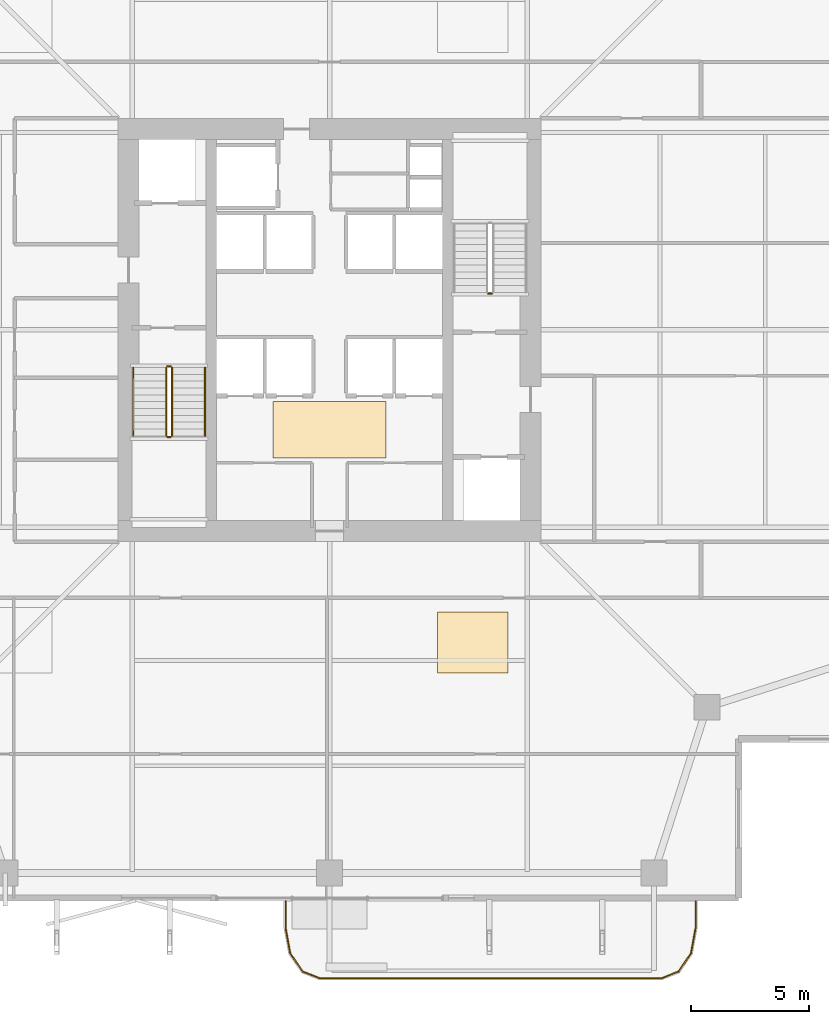
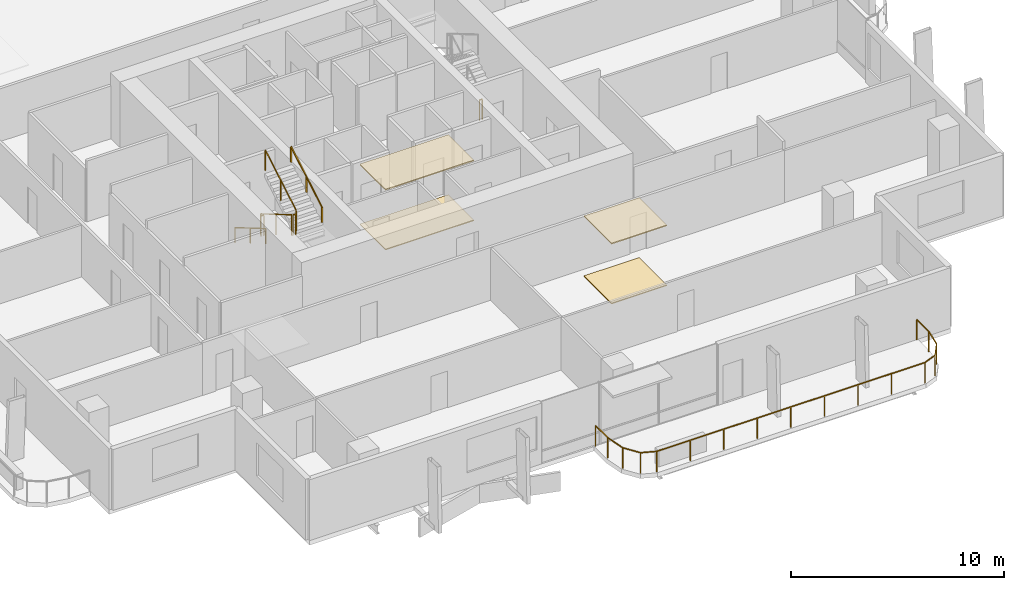
# One storey, part 23 of 25: 8 railings, 4 coverings.
"""IFC4 building model written with IfcOpenShell, lengths in metres."""

from ifc_helpers import new_model, si_unit, direction, frame, origin, origin_2d, place, context, subcontext, project, spatial, polyline, rectangle, outline, extrude, material, layer, layer_set, type_object, element, save


model = new_model("IFC4")

# Units and contexts
model_context = context("Model", 3, precision=1e-05, world=origin(), true_north=direction((0.0, 1.0)))
body_context = subcontext(model_context, "Body", "Model", "MODEL_VIEW")
ifc_project = project(units=[si_unit("LENGTHUNIT", "METRE"), si_unit("AREAUNIT", "SQUARE_METRE"), si_unit("VOLUMEUNIT", "CUBIC_METRE"), si_unit("PLANEANGLEUNIT", "RADIAN"), si_unit("MASSUNIT", "GRAM", prefix="KILO")], contexts=[model_context])

# Site, building, storey
site_placement = place(None, origin())
site = spatial("IfcSite", under=ifc_project, at=site_placement, CompositionType="ELEMENT")
building_placement = place(site_placement, origin())
building = spatial("IfcBuilding", under=site, at=building_placement, Name="Belovzor Exchange Tower", CompositionType="ELEMENT")
storey_placement = place(building_placement, frame((0.0, 0.0, 142.050048828125)))
storey = spatial("IfcBuildingStorey", under=building, at=storey_placement, Name="L34", CompositionType="ELEMENT", Elevation=142.050048828125)

# Railings
ifc_material_1 = material(Name="Stainless Steel Grade 304", Category="steel")
railing_type_1 = type_object("IfcRailingType", Name="Brushed Stainless Steel Stair Handrail 900", PredefinedType="HANDRAIL", material=ifc_material_1)
railing_1_placement = place(storey_placement, frame((20.449951171875, 27.199951171875, 0.17041015625)))
element("IfcRailing", 1, at=railing_1_placement, inside=storey, type_object=railing_type_1, Name="L34 ST-1 stair handrail 1", PredefinedType="HANDRAIL", context=body_context, shape_type="SweptSolid", body=[
    extrude(rectangle(XDim=0.048095703125, YDim=0.048095703125, at=origin_2d()), frame((0.0, 0.0, 0.8759765625), z_axis=(0.0, -0.86209462966, 0.506747323142), x_axis=(1.0, 0.0, 0.0)), (0.0, 0.0, 1.0), 3.36376953125),
    extrude(rectangle(XDim=0.0419921875, YDim=0.0419921875, at=origin_2d()), origin(), (0.0, 0.0, 1.0), 0.851806640625),
    extrude(rectangle(XDim=0.0419921875, YDim=0.0419921875, at=origin_2d()), frame((0.0, -1.449951171875, 0.852294921875)), (0.0, 0.0, 1.0), 0.851806640625),
    extrude(rectangle(XDim=0.0419921875, YDim=0.0419921875, at=origin_2d()), frame((0.0, -2.89990234375, 1.70458984375)), (0.0, 0.0, 1.0), 0.851806640625),
])
railing_2_placement = place(storey_placement, frame((23.5, 24.300048828125, 2.04541015625)))
element("IfcRailing", 2, at=railing_2_placement, inside=storey, type_object=railing_type_1, Name="L34 ST-1 stair handrail 2", PredefinedType="HANDRAIL", context=body_context, shape_type="SweptSolid", body=[
    extrude(rectangle(XDim=0.048095703125, YDim=0.048095703125, at=origin_2d()), frame((0.0, 0.0, 0.8759765625), z_axis=(0.0, 0.86209462966, 0.506747323142), x_axis=(-1.0, 0.0, 0.0)), (0.0, 0.0, 1.0), 3.36376953125),
    extrude(rectangle(XDim=0.0419921875, YDim=0.0419921875, at=origin_2d()), origin(), (0.0, 0.0, 1.0), 0.851806640625),
    extrude(rectangle(XDim=0.0419921875, YDim=0.0419921875, at=origin_2d()), frame((0.0, 1.449951171875, 0.852294921875)), (0.0, 0.0, 1.0), 0.851806640625),
    extrude(rectangle(XDim=0.0419921875, YDim=0.0419921875, at=origin_2d()), frame((0.0, 2.89990234375, 1.70458984375)), (0.0, 0.0, 1.0), 0.851806640625),
])
ifc_material_2 = material(Name="Stainless Steel and Laminated Safety Glass", Category="steel")
railing_type_2 = type_object("IfcRailingType", Name="Laminated Glass & Stainless Steel Balcony Balustrade 1200", PredefinedType="BALUSTRADE", material=ifc_material_2)
railing_3_placement = place(storey_placement, frame((26.929931640625, 4.489990234375, 0.0)))
element("IfcRailing", 3, at=railing_3_placement, inside=storey, type_object=railing_type_2, Name="GR-1 Balcony Balustrade L34 South", PredefinedType="BALUSTRADE", context=body_context, shape_type="SweptSolid", body=[
    extrude(rectangle(XDim=0.048095703125, YDim=0.048095703125, at=origin_2d()), frame((0.0, 0.0, 1.17578125), z_axis=(0.0, -1.0, 0.0), x_axis=(1.0, 0.0, 0.0)), (0.0, 0.0, 1.0), 1.133056640625),
    extrude(rectangle(XDim=0.048095703125, YDim=0.048095703125, at=origin_2d()), frame((0.0, -1.133056640625, 1.17578125), z_axis=(0.180122719713, -0.983644145941, 0.0), x_axis=(0.983644145941, 0.180122719713, 0.0)), (0.0, 0.0, 1.0), 1.09375),
    extrude(rectangle(XDim=0.048095703125, YDim=0.048095703125, at=origin_2d()), frame((0.197021484375, -2.208984375, 1.17578125), z_axis=(0.56294695933, -0.826493025367, 0.0), x_axis=(0.826493025367, 0.56294695933, 0.0)), (0.0, 0.0, 1.0), 0.932861328125),
    extrude(rectangle(XDim=0.048095703125, YDim=0.048095703125, at=origin_2d()), frame((0.72216796875, -2.97998046875, 1.17578125), z_axis=(0.930766990125, -0.365612923861, 0.0), x_axis=(0.365612923861, 0.930766990125, 0.0)), (0.0, 0.0, 1.0), 0.765869140625),
    extrude(rectangle(XDim=0.048095703125, YDim=0.048095703125, at=origin_2d()), frame((1.43505859375, -3.260009765625, 1.17578125), z_axis=(1.0, 0.0, 0.0), x_axis=(0.0, 1.0, 0.0)), (0.0, 0.0, 1.0), 14.570068359375),
    extrude(rectangle(XDim=0.048095703125, YDim=0.048095703125, at=origin_2d()), frame((16.005126953125, -3.260009765625, 1.17578125), z_axis=(0.930766990125, 0.365612923861, 0.0), x_axis=(-0.365612923861, 0.930766990125, 0.0)), (0.0, 0.0, 1.0), 0.765869140625),
    extrude(rectangle(XDim=0.048095703125, YDim=0.048095703125, at=origin_2d()), frame((16.718017578125, -2.97998046875, 1.17578125), z_axis=(0.56294695933, 0.826493025367, 0.0), x_axis=(-0.826493025367, 0.56294695933, 0.0)), (0.0, 0.0, 1.0), 0.932861328125),
    extrude(rectangle(XDim=0.048095703125, YDim=0.048095703125, at=origin_2d()), frame((17.2431640625, -2.208984375, 1.17578125), z_axis=(0.180122719713, 0.983644145941, 0.0), x_axis=(-0.983644145941, 0.180122719713, 0.0)), (0.0, 0.0, 1.0), 1.09375),
    extrude(rectangle(XDim=0.048095703125, YDim=0.048095703125, at=origin_2d()), frame((17.440185546875, -1.133056640625, 1.17578125), z_axis=(0.0, 1.0, 0.0), x_axis=(-1.0, 0.0, 0.0)), (0.0, 0.0, 1.0), 1.133056640625),
    extrude(rectangle(XDim=0.0419921875, YDim=0.0419921875, at=origin_2d()), origin(), (0.0, 0.0, 1.0), 1.15185546875),
    extrude(rectangle(XDim=0.0419921875, YDim=0.0419921875, at=origin_2d()), frame((0.0, -1.133056640625, 0.0)), (0.0, 0.0, 1.0), 1.15185546875),
    extrude(rectangle(XDim=0.0419921875, YDim=0.0419921875, at=origin_2d()), frame((0.197021484375, -2.208984375, 0.0)), (0.0, 0.0, 1.0), 1.15185546875),
    extrude(rectangle(XDim=0.0419921875, YDim=0.0419921875, at=origin_2d()), frame((0.72216796875, -2.97998046875, 0.0)), (0.0, 0.0, 1.0), 1.15185546875),
    extrude(rectangle(XDim=0.0419921875, YDim=0.0419921875, at=origin_2d()), frame((1.43505859375, -3.260009765625, 0.0)), (0.0, 0.0, 1.0), 1.15185546875),
    extrude(rectangle(XDim=0.0419921875, YDim=0.0419921875, at=origin_2d()), frame((3.25634765625, -3.260009765625, 0.0)), (0.0, 0.0, 1.0), 1.15185546875),
    extrude(rectangle(XDim=0.0419921875, YDim=0.0419921875, at=origin_2d()), frame((5.07763671875, -3.260009765625, 0.0)), (0.0, 0.0, 1.0), 1.15185546875),
    extrude(rectangle(XDim=0.0419921875, YDim=0.0419921875, at=origin_2d()), frame((6.89892578125, -3.260009765625, 0.0)), (0.0, 0.0, 1.0), 1.15185546875),
    extrude(rectangle(XDim=0.0419921875, YDim=0.0419921875, at=origin_2d()), frame((8.72021484375, -3.260009765625, 0.0)), (0.0, 0.0, 1.0), 1.15185546875),
    extrude(rectangle(XDim=0.0419921875, YDim=0.0419921875, at=origin_2d()), frame((10.541259765625, -3.260009765625, 0.0)), (0.0, 0.0, 1.0), 1.15185546875),
    extrude(rectangle(XDim=0.0419921875, YDim=0.0419921875, at=origin_2d()), frame((12.362548828125, -3.260009765625, 0.0)), (0.0, 0.0, 1.0), 1.15185546875),
    extrude(rectangle(XDim=0.0419921875, YDim=0.0419921875, at=origin_2d()), frame((14.183837890625, -3.260009765625, 0.0)), (0.0, 0.0, 1.0), 1.15185546875),
    extrude(rectangle(XDim=0.0419921875, YDim=0.0419921875, at=origin_2d()), frame((16.005126953125, -3.260009765625, 0.0)), (0.0, 0.0, 1.0), 1.15185546875),
    extrude(rectangle(XDim=0.0419921875, YDim=0.0419921875, at=origin_2d()), frame((16.718017578125, -2.97998046875, 0.0)), (0.0, 0.0, 1.0), 1.15185546875),
    extrude(rectangle(XDim=0.0419921875, YDim=0.0419921875, at=origin_2d()), frame((17.2431640625, -2.208984375, 0.0)), (0.0, 0.0, 1.0), 1.15185546875),
    extrude(rectangle(XDim=0.0419921875, YDim=0.0419921875, at=origin_2d()), frame((17.440185546875, -1.133056640625, 0.0)), (0.0, 0.0, 1.0), 1.15185546875),
    extrude(rectangle(XDim=0.0419921875, YDim=0.0419921875, at=origin_2d()), frame((17.440185546875, 0.0, 0.0)), (0.0, 0.0, 1.0), 1.15185546875),
])
ifc_material_3 = material(Name="Steel S355", Category="steel")
railing_type_3 = type_object("IfcRailingType", Name="Painted Steel Stairwell Guardrail 1200", PredefinedType="GUARDRAIL", material=ifc_material_3)
railing_4_placement = place(storey_placement, frame((21.85009765625, 27.199951171875, 0.17041015625)))
element("IfcRailing", 4, at=railing_4_placement, inside=storey, type_object=railing_type_3, Name="L34 ST-1 stair guard 1", PredefinedType="GUARDRAIL", context=body_context, shape_type="SweptSolid", body=[
    extrude(rectangle(XDim=0.048095703125, YDim=0.048095703125, at=origin_2d()), frame((0.0, 0.0, 1.17578125), z_axis=(0.0, -0.86209462966, 0.506747323142), x_axis=(1.0, 0.0, 0.0)), (0.0, 0.0, 1.0), 3.36376953125),
    extrude(rectangle(XDim=0.0419921875, YDim=0.0419921875, at=origin_2d()), origin(), (0.0, 0.0, 1.0), 1.15185546875),
    extrude(rectangle(XDim=0.0419921875, YDim=0.0419921875, at=origin_2d()), frame((0.0, -1.449951171875, 0.852294921875)), (0.0, 0.0, 1.0), 1.15185546875),
    extrude(rectangle(XDim=0.0419921875, YDim=0.0419921875, at=origin_2d()), frame((0.0, -2.89990234375, 1.70458984375)), (0.0, 0.0, 1.0), 1.15185546875),
])
railing_5_placement = place(storey_placement, frame((21.89990234375, 24.25, 1.875)))
element("IfcRailing", 5, at=railing_5_placement, inside=storey, type_object=railing_type_3, Name="L34 ST-1 stair guard 2", PredefinedType="GUARDRAIL", context=body_context, shape_type="SweptSolid", body=[
    extrude(rectangle(XDim=0.048095703125, YDim=0.048095703125, at=origin_2d()), frame((0.0, 0.0, 1.17578125), z_axis=(1.0, 0.0, 0.0), x_axis=(0.0, 1.0, 0.0)), (0.0, 0.0, 1.0), 0.150146484375),
    extrude(rectangle(XDim=0.0419921875, YDim=0.0419921875, at=origin_2d()), origin(), (0.0, 0.0, 1.0), 1.15185546875),
    extrude(rectangle(XDim=0.0419921875, YDim=0.0419921875, at=origin_2d()), frame((0.150146484375, 0.0, 0.0)), (0.0, 0.0, 1.0), 1.15185546875),
])
railing_6_placement = place(storey_placement, frame((22.10009765625, 24.300048828125, 2.04541015625)))
element("IfcRailing", 6, at=railing_6_placement, inside=storey, type_object=railing_type_3, Name="L34 ST-1 stair guard 3", PredefinedType="GUARDRAIL", context=body_context, shape_type="SweptSolid", body=[
    extrude(rectangle(XDim=0.048095703125, YDim=0.048095703125, at=origin_2d()), frame((0.0, 0.0, 1.17578125), z_axis=(0.0, 0.86209462966, 0.506747323142), x_axis=(-1.0, 0.0, 0.0)), (0.0, 0.0, 1.0), 3.36376953125),
    extrude(rectangle(XDim=0.0419921875, YDim=0.0419921875, at=origin_2d()), origin(), (0.0, 0.0, 1.0), 1.15185546875),
    extrude(rectangle(XDim=0.0419921875, YDim=0.0419921875, at=origin_2d()), frame((0.0, 1.449951171875, 0.852294921875)), (0.0, 0.0, 1.0), 1.15185546875),
    extrude(rectangle(XDim=0.0419921875, YDim=0.0419921875, at=origin_2d()), frame((0.0, 2.89990234375, 1.70458984375)), (0.0, 0.0, 1.0), 1.15185546875),
])
railing_7_placement = place(storey_placement, frame((21.89990234375, 27.25, 0.0)))
element("IfcRailing", 7, at=railing_7_placement, inside=storey, type_object=railing_type_3, Name="L34 ST-1 stair guard 4", PredefinedType="GUARDRAIL", context=body_context, shape_type="SweptSolid", body=[
    extrude(rectangle(XDim=0.048095703125, YDim=0.048095703125, at=origin_2d()), frame((0.0, 0.0, 1.17578125), z_axis=(1.0, 0.0, 0.0), x_axis=(0.0, 1.0, 0.0)), (0.0, 0.0, 1.0), 0.150146484375),
    extrude(rectangle(XDim=0.0419921875, YDim=0.0419921875, at=origin_2d()), origin(), (0.0, 0.0, 1.0), 1.15185546875),
    extrude(rectangle(XDim=0.0419921875, YDim=0.0419921875, at=origin_2d()), frame((0.150146484375, 0.0, 0.0)), (0.0, 0.0, 1.0), 1.15185546875),
])
railing_8_placement = place(storey_placement, frame((35.699951171875, 30.35009765625, 0.0)))
element("IfcRailing", 8, at=railing_8_placement, inside=storey, type_object=railing_type_3, Name="L34 ST-2 stair guard 4", PredefinedType="GUARDRAIL", context=body_context, shape_type="SweptSolid", body=[
    extrude(rectangle(XDim=0.048095703125, YDim=0.048095703125, at=origin_2d()), frame((0.0, 0.0, 1.17578125), z_axis=(-1.0, 0.0, 0.0), x_axis=(0.0, -1.0, 0.0)), (0.0, 0.0, 1.0), 0.14990234375),
    extrude(rectangle(XDim=0.0419921875, YDim=0.0419921875, at=origin_2d()), origin(), (0.0, 0.0, 1.0), 1.15185546875),
    extrude(rectangle(XDim=0.0419921875, YDim=0.0419921875, at=origin_2d()), frame((-0.14990234375, 0.0, 0.0)), (0.0, 0.0, 1.0), 1.15185546875),
])

# Coverings
ifc_material_4 = material(Name="Perforated Powder-Coated Aluminium", Category="aluminium")
ifc_layer_1 = layer(ifc_material_4, 0.06005859375)
ifc_layer_set_1 = layer_set([ifc_layer_1], Name="Perforated Powder-Coated Aluminium")
covering_type_1 = type_object("IfcCoveringType", Name="Perforated Acoustic Metal Tile Suspended Ceiling 60", PredefinedType="CEILING", material=ifc_layer_set_1)
covering_1_placement = place(storey_placement, frame((0.0, 0.0, 3.43505859375)))
element("IfcCovering", 9, at=covering_1_placement, inside=storey, type_object=covering_type_1, Name="CLG-AC60 Suspended Ceiling CLG-L34-LOB", PredefinedType="CEILING", context=body_context, shape_type="SweptSolid", body=[
    extrude(outline(polyline([(26.39990234375, 23.35009765625), (31.199951171875, 23.35009765625), (31.199951171875, 25.75), (26.39990234375, 25.75), (26.39990234375, 23.35009765625)])), origin(), (0.0, 0.0, 1.0), 0.059814453125),
])
covering_2_placement = place(storey_placement, frame((0.0, 0.0, 3.43505859375)))
element("IfcCovering", 10, at=covering_2_placement, inside=storey, type_object=covering_type_1, Name="CLG-AC60 Suspended Ceiling CLG-L34-Z1", PredefinedType="CEILING", context=body_context, shape_type="SweptSolid", body=[
    extrude(outline(polyline([(33.39990234375, 14.199951171875), (36.39990234375, 14.199951171875), (36.39990234375, 16.800048828125), (33.39990234375, 16.800048828125), (33.39990234375, 14.199951171875)])), origin(), (0.0, 0.0, 1.0), 0.059814453125),
])
ifc_material_5 = material(Name="Polished Natural Granite Tile", Category="masonry")
ifc_layer_2 = layer(ifc_material_5, 0.050048828125)
ifc_layer_set_2 = layer_set([ifc_layer_2], Name="Polished Natural Granite Tile")
covering_type_2 = type_object("IfcCoveringType", Name="Polished Karelian Granite & Raised Access Floor Finish 50", PredefinedType="FLOORING", material=ifc_layer_set_2)
covering_3_placement = place(storey_placement, origin())
element("IfcCovering", 11, at=covering_3_placement, inside=storey, type_object=covering_type_2, Name="FLR-GR50 Floor Finish FLR-L34-LOB", PredefinedType="FLOORING", context=body_context, shape_type="SweptSolid", body=[
    extrude(outline(polyline([(26.39990234375, 23.35009765625), (31.199951171875, 23.35009765625), (31.199951171875, 25.75), (26.39990234375, 25.75), (26.39990234375, 23.35009765625)])), origin(), (0.0, 0.0, 1.0), 0.050048828125),
])
covering_4_placement = place(storey_placement, origin())
element("IfcCovering", 12, at=covering_4_placement, inside=storey, type_object=covering_type_2, Name="FLR-GR50 Floor Finish FLR-L34-Z1", PredefinedType="FLOORING", context=body_context, shape_type="SweptSolid", body=[
    extrude(outline(polyline([(33.39990234375, 14.199951171875), (36.39990234375, 14.199951171875), (36.39990234375, 16.800048828125), (33.39990234375, 16.800048828125), (33.39990234375, 14.199951171875)])), origin(), (0.0, 0.0, 1.0), 0.050048828125),
])

save(model, "model.ifc")
